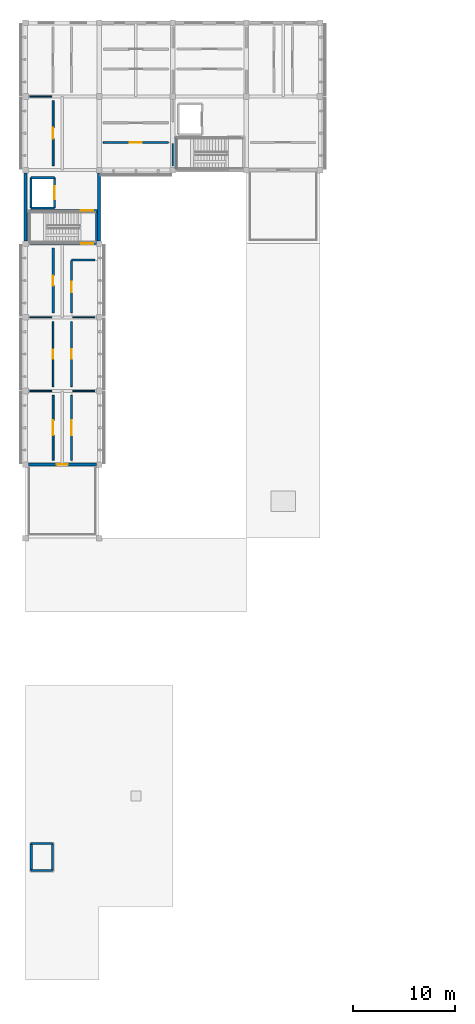
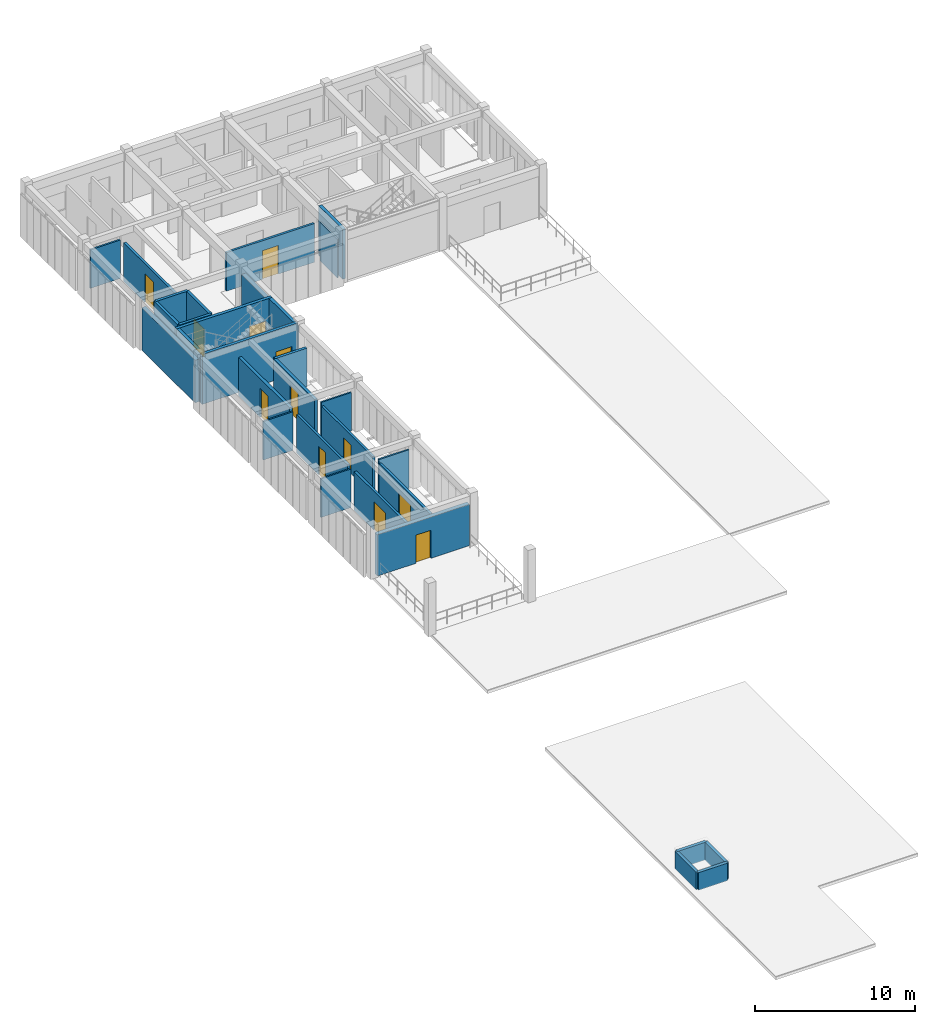
# One storey, part 23 of 33: 31 walls, 12 doors, 12 openings.
"""IFC4 building model written with IfcOpenShell, lengths in metres."""

from ifc_helpers import new_model, si_unit, direction, frame, frame_2d, origin, place, context, subcontext, project, spatial, rectangle, extrude, material, layer, layer_set, type_object, element, fill, save


model = new_model("IFC4")

# Units and contexts
model_context = context("Model", 3, precision=1e-05, world=origin(), true_north=direction((0.0, 1.0)))
body_context = subcontext(model_context, "Body", "Model", "MODEL_VIEW")
ifc_project = project(units=[si_unit("LENGTHUNIT", "METRE"), si_unit("AREAUNIT", "SQUARE_METRE"), si_unit("VOLUMEUNIT", "CUBIC_METRE"), si_unit("PLANEANGLEUNIT", "RADIAN"), si_unit("MASSUNIT", "GRAM", prefix="KILO")], contexts=[model_context])

# Site, building, storey
site_placement = place(None, origin())
site = spatial("IfcSite", under=ifc_project, at=site_placement, CompositionType="ELEMENT")
building_placement = place(site_placement, origin())
building = spatial("IfcBuilding", under=site, at=building_placement, Name="Aldebral Square Health Centre", CompositionType="ELEMENT")
storey_placement = place(building_placement, frame((0.0, 0.0, 17.550048828125)))
storey = spatial("IfcBuildingStorey", under=building, at=storey_placement, Name="L04", CompositionType="ELEMENT", Elevation=17.550048828125)

# Wall, opening, door
ifc_material_1 = material(Name="Precast concrete C40/50 insulated panel", Category="concrete")
ifc_layer_1 = layer(ifc_material_1, 0.300048828125, Name="Precast concrete C40/50 insulated panel", Category="concrete")
ifc_layer_set_1 = layer_set([ifc_layer_1], Name="Precast concrete C40/50 insulated panel")
wall_type_1 = type_object("IfcWallType", Name="EW-PRE-300", PredefinedType="STANDARD", material=ifc_layer_set_1)
wall_1_placement = place(storey_placement, frame((0.27490234375, 72.0, 0.0), z_axis=(0.0, 0.0, 1.0), x_axis=(1.0, 0.0, 0.0)))
wall_1 = element("IfcWall", 1, at=wall_1_placement, inside=storey, type_object=wall_type_1, Name="L04 V4 exterior wall L04-V4-00-10-S", PredefinedType="STANDARD", context=body_context, shape_type="SweptSolid", body=[
    extrude(rectangle(XDim=6.650146484375, YDim=0.300048828125, at=frame_2d((3.3251953125, 0.0))), origin(), (0.0, 0.0, 1.0), 3.14990234375),
])
opening_1_placement = place(wall_1_placement, frame((2.77490234375, 0.0, 0.0)))
opening_1 = element("IfcOpeningElement", 2, at=opening_1_placement, cuts=wall_1, Name="Opening D-TER401", PredefinedType="OPENING", context=body_context, shape_type="SweptSolid", body=[
    extrude(rectangle(XDim=1.10009765625, YDim=2.14990234375, at=frame_2d((0.550048828125, 1.074951171875))), frame((0.0, 0.16015625, 0.0), z_axis=(0.0, -1.0, 0.0), x_axis=(1.0, 0.0, 0.0)), (0.0, 0.0, 1.0), 0.320068359375),
])
ifc_material_2 = material(Name="Anodised aluminium and laminated safety glass", Category="aluminium")
door_type_1 = type_object("IfcDoorType", Name="DR-TER-110", OperationType="NOTDEFINED", PredefinedType="DOOR", material=ifc_material_2)
door_1_placement = place(opening_1_placement, origin())
door_1 = element("IfcDoor", 3, at=door_1_placement, inside=storey, type_object=door_type_1, Name="L04 exterior door D-TER401", OperationType="SINGLE_SWING_RIGHT", OverallHeight=2.14990234375, OverallWidth=1.10009765625, PredefinedType="DOOR", context=body_context, shape_type="SweptSolid", body=[
    extrude(rectangle(XDim=1.10009765625, YDim=2.14990234375, at=frame_2d((0.550048828125, 1.074951171875))), frame((0.0, 0.02490234375, 0.0), z_axis=(0.0, -1.0, 0.0), x_axis=(1.0, 0.0, 0.0)), (0.0, 0.0, 1.0), 0.050048828125),
])
fill(opening_1, door_1)

# Walls
for number, where, z_axis, x_axis, name in (
    (4, (0.0, 100.52490234375, 0.0), (0.0, 0.0, 1.0), (0.0, -1.0, 0.0), "L04 V4 exterior wall L04-V4-00-13-W"),
    (5, (7.199951171875, 93.875, 0.0), (0.0, 0.0, 1.0), (0.0, 1.0, 0.0), "L04 V4 exterior wall L04-V4-00-13-E"),
):
    element("IfcWall", number, at=place(storey_placement, frame(where, z_axis=z_axis, x_axis=x_axis)), inside=storey, type_object=wall_type_1, Name=name, PredefinedType="STANDARD", context=body_context, shape_type="SweptSolid", body=[
        extrude(rectangle(XDim=6.64990234375, YDim=0.300048828125, at=frame_2d((3.324951171875, 0.0))), origin(), (0.0, 0.0, 1.0), 3.25),
    ])

# Wall, opening, door
ifc_material_3 = material(Name="Concrete C35/45 compartment wall", Category="concrete")
ifc_layer_2 = layer(ifc_material_3, 0.219970703125, Name="Concrete C35/45 compartment wall", Category="concrete")
ifc_layer_set_2 = layer_set([ifc_layer_2], Name="Concrete C35/45 compartment wall")
wall_type_2 = type_object("IfcWallType", Name="IW-CMP-220", PredefinedType="SOLIDWALL", material=ifc_layer_set_2)
wall_2_placement = place(storey_placement, frame((2.699951171875, 86.820068359375, 0.0), z_axis=(0.0, 0.0, 1.0), x_axis=(0.0, 1.0, 0.0)))
wall_2 = element("IfcWall", 6, at=wall_2_placement, inside=storey, type_object=wall_type_2, Name="L04 Clinical Store 1.13W corridor wall", PredefinedType="SOLIDWALL", context=body_context, shape_type="SweptSolid", body=[
    extrude(rectangle(XDim=6.35986328125, YDim=0.219970703125, at=frame_2d((3.179931640625, 0.0))), origin(), (0.0, 0.0, 1.0), 2.93994140625),
])
opening_2_placement = place(wall_2_placement, frame((2.68994140625, 0.0, 0.0)))
opening_2 = element("IfcOpeningElement", 7, at=opening_2_placement, cuts=wall_2, Name="Opening D-0617", PredefinedType="OPENING", context=body_context, shape_type="SweptSolid", body=[
    extrude(rectangle(XDim=0.97998046875, YDim=2.18994140625, at=frame_2d((0.489990234375, 1.094970703125))), frame((0.0, 0.1201171875, 0.0), z_axis=(0.0, -1.0, 0.0), x_axis=(1.0, 0.0, 0.0)), (0.0, 0.0, 1.0), 0.239990234375),
])
ifc_material_4 = material(Name="Clinical suite fire door")
door_type_2 = type_object("IfcDoorType", Name="ID-EXD-50", OperationType="NOTDEFINED", PredefinedType="DOOR", material=ifc_material_4)
door_2_placement = place(opening_2_placement, origin())
door_2 = element("IfcDoor", 8, at=door_2_placement, inside=storey, type_object=door_type_2, Name="L04 Clinical Store 1.13W door", OperationType="SINGLE_SWING_RIGHT", OverallHeight=2.18994140625, OverallWidth=0.97998046875, PredefinedType="DOOR", context=body_context, shape_type="SweptSolid", body=[
    extrude(rectangle(XDim=0.97998046875, YDim=2.18994140625, at=frame_2d((0.489990234375, 1.094970703125))), frame((0.0, 0.02490234375, 0.0), z_axis=(0.0, -1.0, 0.0), x_axis=(1.0, 0.0, 0.0)), (0.0, 0.0, 1.0), 0.050048828125),
])
fill(opening_2, door_2)

ifc_material_5 = material(Name="Fire-rated acoustic gypsum partition")
ifc_layer_3 = layer(ifc_material_5, 0.1650390625, Name="Fire-rated acoustic gypsum partition")
ifc_layer_set_3 = layer_set([ifc_layer_3], Name="Fire-rated acoustic gypsum partition")
wall_type_3 = type_object("IfcWallType", Name="IW-COR-165", PredefinedType="PARTITIONING", material=ifc_layer_set_3)
wall_3_placement = place(storey_placement, frame((2.699951171875, 79.6201171875, 0.0), z_axis=(0.0, 0.0, 1.0), x_axis=(0.0, 1.0, 0.0)))
wall_3 = element("IfcWall", 9, at=wall_3_placement, inside=storey, type_object=wall_type_3, Name="L04 Rheumatology Exam Room 1.12W corridor wall", PredefinedType="PARTITIONING", context=body_context, shape_type="SweptSolid", body=[
    extrude(rectangle(XDim=6.35986328125, YDim=0.1650390625, at=frame_2d((3.179931640625, 0.0))), origin(), (0.0, 0.0, 1.0), 2.93994140625),
])
opening_3_placement = place(wall_3_placement, frame((2.72998046875, 0.0, 0.0)))
opening_3 = element("IfcOpeningElement", 10, at=opening_3_placement, cuts=wall_3, Name="Opening D-0615", PredefinedType="OPENING", context=body_context, shape_type="SweptSolid", body=[
    extrude(rectangle(XDim=0.89990234375, YDim=2.18994140625, at=frame_2d((0.449951171875, 1.094970703125))), frame((0.0, 0.092529296875, 0.0), z_axis=(0.0, -1.0, 0.0), x_axis=(1.0, 0.0, 0.0)), (0.0, 0.0, 1.0), 0.18505859375),
])
door_type_3 = type_object("IfcDoorType", Name="ID-EXD-48", OperationType="NOTDEFINED", PredefinedType="DOOR", material=ifc_material_4)
door_3_placement = place(opening_3_placement, origin())
door_3 = element("IfcDoor", 11, at=door_3_placement, inside=storey, type_object=door_type_3, Name="L04 Rheumatology Exam Room 1.12W door", OperationType="SINGLE_SWING_RIGHT", OverallHeight=2.18994140625, OverallWidth=0.89990234375, PredefinedType="DOOR", context=body_context, shape_type="SweptSolid", body=[
    extrude(rectangle(XDim=0.89990234375, YDim=2.18994140625, at=frame_2d((0.449951171875, 1.094970703125))), frame((0.0, 0.02490234375, 0.0), z_axis=(0.0, -1.0, 0.0), x_axis=(1.0, 0.0, 0.0)), (0.0, 0.0, 1.0), 0.050048828125),
])
fill(opening_3, door_3)

wall_4_placement = place(storey_placement, frame((4.5, 79.6201171875, 0.0), z_axis=(0.0, 0.0, 1.0), x_axis=(0.0, 1.0, 0.0)))
wall_4 = element("IfcWall", 12, at=wall_4_placement, inside=storey, type_object=wall_type_3, Name="L04 Preventive Screening Room 1.12E corridor wall", PredefinedType="PARTITIONING", context=body_context, shape_type="SweptSolid", body=[
    extrude(rectangle(XDim=6.35986328125, YDim=0.1650390625, at=frame_2d((3.179931640625, 0.0))), origin(), (0.0, 0.0, 1.0), 2.93994140625),
])
opening_4_placement = place(wall_4_placement, frame((2.7099609375, 0.0, 0.0)))
opening_4 = element("IfcOpeningElement", 13, at=opening_4_placement, cuts=wall_4, Name="Opening D-0616", PredefinedType="OPENING", context=body_context, shape_type="SweptSolid", body=[
    extrude(rectangle(XDim=0.93994140625, YDim=2.18994140625, at=frame_2d((0.469970703125, 1.094970703125))), frame((0.0, 0.092529296875, 0.0), z_axis=(0.0, -1.0, 0.0), x_axis=(1.0, 0.0, 0.0)), (0.0, 0.0, 1.0), 0.18505859375),
])
door_type_4 = type_object("IfcDoorType", Name="ID-EXD-49", OperationType="NOTDEFINED", PredefinedType="DOOR", material=ifc_material_4)
door_4_placement = place(opening_4_placement, origin())
door_4 = element("IfcDoor", 14, at=door_4_placement, inside=storey, type_object=door_type_4, Name="L04 Preventive Screening Room 1.12E door", OperationType="SINGLE_SWING_LEFT", OverallHeight=2.18994140625, OverallWidth=0.93994140625, PredefinedType="DOOR", context=body_context, shape_type="SweptSolid", body=[
    extrude(rectangle(XDim=0.93994140625, YDim=2.18994140625, at=frame_2d((0.469970703125, 1.094970703125))), frame((0.0, 0.02490234375, 0.0), z_axis=(0.0, -1.0, 0.0), x_axis=(1.0, 0.0, 0.0)), (0.0, 0.0, 1.0), 0.050048828125),
])
fill(opening_4, door_4)

wall_5_placement = place(storey_placement, frame((7.6201171875, 103.5, 0.0), z_axis=(0.0, 0.0, 1.0), x_axis=(1.0, 0.0, 0.0)))
wall_5 = element("IfcWall", 15, at=wall_5_placement, inside=storey, type_object=wall_type_3, Name="L04 Preventive Screening Room 2.15S corridor wall", PredefinedType="PARTITIONING", context=body_context, shape_type="SweptSolid", body=[
    extrude(rectangle(XDim=6.35986328125, YDim=0.1650390625, at=frame_2d((3.179931640625, 0.0))), origin(), (0.0, 0.0, 1.0), 2.93994140625),
])
opening_5_placement = place(wall_5_placement, frame((2.590087890625, 0.0, 0.0)))
opening_5 = element("IfcOpeningElement", 16, at=opening_5_placement, cuts=wall_5, Name="Opening D-0622", PredefinedType="OPENING", context=body_context, shape_type="SweptSolid", body=[
    extrude(rectangle(XDim=1.179931640625, YDim=2.18994140625, at=frame_2d((0.58984375, 1.094970703125))), frame((0.0, 0.092529296875, 0.0), z_axis=(0.0, -1.0, 0.0), x_axis=(1.0, 0.0, 0.0)), (0.0, 0.0, 1.0), 0.18505859375),
])
door_type_5 = type_object("IfcDoorType", Name="ID-EXD-55", OperationType="NOTDEFINED", PredefinedType="DOOR", material=ifc_material_4)
door_5_placement = place(opening_5_placement, origin())
door_5 = element("IfcDoor", 17, at=door_5_placement, inside=storey, type_object=door_type_5, Name="L04 Preventive Screening Room 2.15S door", OperationType="SINGLE_SWING_LEFT", OverallHeight=2.18994140625, OverallWidth=1.179931640625, PredefinedType="DOOR", context=body_context, shape_type="SweptSolid", body=[
    extrude(rectangle(XDim=1.179931640625, YDim=2.18994140625, at=frame_2d((0.58984375, 1.094970703125))), frame((0.0, 0.02490234375, 0.0), z_axis=(0.0, -1.0, 0.0), x_axis=(1.0, 0.0, 0.0)), (0.0, 0.0, 1.0), 0.050048828125),
])
fill(opening_5, door_5)

ifc_layer_4 = layer(ifc_material_5, 0.179931640625, Name="Fire-rated acoustic gypsum partition")
ifc_layer_set_4 = layer_set([ifc_layer_4], Name="Fire-rated acoustic gypsum partition")
wall_type_4 = type_object("IfcWallType", Name="IW-COR-180", PredefinedType="PARTITIONING", material=ifc_layer_set_4)
wall_6_placement = place(storey_placement, frame((2.699951171875, 72.419921875, 0.0), z_axis=(0.0, 0.0, 1.0), x_axis=(0.0, 1.0, 0.0)))
wall_6 = element("IfcWall", 18, at=wall_6_placement, inside=storey, type_object=wall_type_4, Name="L04 Specialist Clinic 1.11W corridor wall", PredefinedType="PARTITIONING", context=body_context, shape_type="SweptSolid", body=[
    extrude(rectangle(XDim=6.360107421875, YDim=0.179931640625, at=frame_2d((3.18017578125, 0.0))), origin(), (0.0, 0.0, 1.0), 2.93994140625),
])
opening_6_placement = place(wall_6_placement, frame((2.449951171875, 0.0, 0.0)))
opening_6 = element("IfcOpeningElement", 19, at=opening_6_placement, cuts=wall_6, Name="Opening D-0613", PredefinedType="OPENING", context=body_context, shape_type="SweptSolid", body=[
    extrude(rectangle(XDim=1.4599609375, YDim=2.139892578125, at=frame_2d((0.72998046875, 1.06982421875))), frame((0.0, 0.10009765625, 0.0), z_axis=(0.0, -1.0, 0.0), x_axis=(1.0, 0.0, 0.0)), (0.0, 0.0, 1.0), 0.199951171875),
])
door_type_6 = type_object("IfcDoorType", Name="ID-EXD-46", OperationType="NOTDEFINED", PredefinedType="DOOR", material=ifc_material_4)
door_6_placement = place(opening_6_placement, origin())
door_6 = element("IfcDoor", 20, at=door_6_placement, inside=storey, type_object=door_type_6, Name="L04 Specialist Clinic 1.11W door", OperationType="SINGLE_SWING_RIGHT", OverallHeight=2.139892578125, OverallWidth=1.4599609375, PredefinedType="DOOR", context=body_context, shape_type="SweptSolid", body=[
    extrude(rectangle(XDim=1.4599609375, YDim=2.139892578125, at=frame_2d((0.72998046875, 1.06982421875))), frame((0.0, 0.02490234375, 0.0), z_axis=(0.0, -1.0, 0.0), x_axis=(1.0, 0.0, 0.0)), (0.0, 0.0, 1.0), 0.050048828125),
])
fill(opening_6, door_6)

wall_7_placement = place(storey_placement, frame((4.5, 72.419921875, 0.0), z_axis=(0.0, 0.0, 1.0), x_axis=(0.0, 1.0, 0.0)))
wall_7 = element("IfcWall", 21, at=wall_7_placement, inside=storey, type_object=wall_type_4, Name="L04 Neurology Consulting Suite 1.11E corridor wall", PredefinedType="PARTITIONING", context=body_context, shape_type="SweptSolid", body=[
    extrude(rectangle(XDim=6.360107421875, YDim=0.179931640625, at=frame_2d((3.18017578125, 0.0))), origin(), (0.0, 0.0, 1.0), 2.93994140625),
])
opening_7_placement = place(wall_7_placement, frame((2.429931640625, 0.0, 0.0)))
opening_7 = element("IfcOpeningElement", 22, at=opening_7_placement, cuts=wall_7, Name="Opening D-0614", PredefinedType="OPENING", context=body_context, shape_type="SweptSolid", body=[
    extrude(rectangle(XDim=1.5, YDim=2.139892578125, at=frame_2d((0.75, 1.06982421875))), frame((0.0, 0.10009765625, 0.0), z_axis=(0.0, -1.0, 0.0), x_axis=(1.0, 0.0, 0.0)), (0.0, 0.0, 1.0), 0.199951171875),
])
door_type_7 = type_object("IfcDoorType", Name="ID-EXD-47", OperationType="NOTDEFINED", PredefinedType="DOOR", material=ifc_material_4)
door_7_placement = place(opening_7_placement, origin())
door_7 = element("IfcDoor", 23, at=door_7_placement, inside=storey, type_object=door_type_7, Name="L04 Neurology Consulting Suite 1.11E door", OperationType="SINGLE_SWING_LEFT", OverallHeight=2.139892578125, OverallWidth=1.5, PredefinedType="DOOR", context=body_context, shape_type="SweptSolid", body=[
    extrude(rectangle(XDim=1.5, YDim=2.139892578125, at=frame_2d((0.75, 1.06982421875))), frame((0.0, 0.02490234375, 0.0), z_axis=(0.0, -1.0, 0.0), x_axis=(1.0, 0.0, 0.0)), (0.0, 0.0, 1.0), 0.050048828125),
])
fill(opening_7, door_7)

wall_8_placement = place(storey_placement, frame((2.699951171875, 101.219970703125, 0.0), z_axis=(0.0, 0.0, 1.0), x_axis=(0.0, 1.0, 0.0)))
wall_8 = element("IfcWall", 24, at=wall_8_placement, inside=storey, type_object=wall_type_4, Name="L04 Specialist Clinic 1.15W corridor wall", PredefinedType="PARTITIONING", context=body_context, shape_type="SweptSolid", body=[
    extrude(rectangle(XDim=6.360107421875, YDim=0.179931640625, at=frame_2d((3.18017578125, 0.0))), origin(), (0.0, 0.0, 1.0), 2.93994140625),
])
opening_8_placement = place(wall_8_placement, frame((2.64990234375, 0.0, 0.0)))
opening_8 = element("IfcOpeningElement", 25, at=opening_8_placement, cuts=wall_8, Name="Opening D-0619", PredefinedType="OPENING", context=body_context, shape_type="SweptSolid", body=[
    extrude(rectangle(XDim=1.06005859375, YDim=2.18994140625, at=frame_2d((0.530029296875, 1.094970703125))), frame((0.0, 0.10009765625, 0.0), z_axis=(0.0, -1.0, 0.0), x_axis=(1.0, 0.0, 0.0)), (0.0, 0.0, 1.0), 0.199951171875),
])
door_type_8 = type_object("IfcDoorType", Name="ID-EXD-52", OperationType="NOTDEFINED", PredefinedType="DOOR", material=ifc_material_4)
door_8_placement = place(opening_8_placement, origin())
door_8 = element("IfcDoor", 26, at=door_8_placement, inside=storey, type_object=door_type_8, Name="L04 Specialist Clinic 1.15W door", OperationType="SINGLE_SWING_RIGHT", OverallHeight=2.18994140625, OverallWidth=1.06005859375, PredefinedType="DOOR", context=body_context, shape_type="SweptSolid", body=[
    extrude(rectangle(XDim=1.06005859375, YDim=2.18994140625, at=frame_2d((0.530029296875, 1.094970703125))), frame((0.0, 0.02490234375, 0.0), z_axis=(0.0, -1.0, 0.0), x_axis=(1.0, 0.0, 0.0)), (0.0, 0.0, 1.0), 0.050048828125),
])
fill(opening_8, door_8)

ifc_material_6 = material(Name="Concrete C40/50", Category="concrete")
ifc_layer_5 = layer(ifc_material_6, 0.219970703125, Name="Concrete C40/50", Category="concrete")
ifc_layer_set_5 = layer_set([ifc_layer_5], Name="Concrete C40/50")
wall_type_5 = type_object("IfcWallType", Name="IW-CORE-280", PredefinedType="SHEAR", material=ifc_layer_set_5)
wall_9_placement = place(storey_placement, frame((0.159912109375, 93.610107421875, 0.0), z_axis=(0.0, 0.0, 1.0), x_axis=(1.0, 0.0, 0.0)))
wall_9 = element("IfcWall", 27, at=wall_9_placement, inside=storey, type_object=wall_type_5, Name="L04 WC-C1 shaft wall S", PredefinedType="SHEAR", context=body_context, shape_type="SweptSolid", body=[
    extrude(rectangle(XDim=6.880126953125, YDim=0.219970703125, at=frame_2d((3.43994140625, 0.0))), origin(), (0.0, 0.0, 1.0), 3.800048828125),
])
opening_9_placement = place(wall_9_placement, frame((5.300048828125, 0.0, 0.0)))
opening_9 = element("IfcOpeningElement", 28, at=opening_9_placement, cuts=wall_9, Name="Opening D-0015", PredefinedType="OPENING", context=body_context, shape_type="SweptSolid", body=[
    extrude(rectangle(XDim=1.14990234375, YDim=2.14990234375, at=frame_2d((0.574951171875, 1.074951171875))), frame((0.0, 0.1201171875, 0.0), z_axis=(0.0, -1.0, 0.0), x_axis=(1.0, 0.0, 0.0)), (0.0, 0.0, 1.0), 0.239990234375),
])
ifc_material_7 = material(Name="Fire-rated steel lobby stair door", Category="steel")
door_type_9 = type_object("IfcDoorType", Name="ID-ST-115", OperationType="NOTDEFINED", PredefinedType="DOOR", material=ifc_material_7)
door_9_placement = place(opening_9_placement, origin())
door_9 = element("IfcDoor", 29, at=door_9_placement, inside=storey, type_object=door_type_9, Name="L04 ST-01 south lobby fire door", OperationType="SINGLE_SWING_LEFT", OverallHeight=2.14990234375, OverallWidth=1.14990234375, PredefinedType="DOOR", context=body_context, shape_type="SweptSolid", body=[
    extrude(rectangle(XDim=1.14990234375, YDim=2.14990234375, at=frame_2d((0.574951171875, 1.074951171875))), frame((0.0, 0.02490234375, 0.0), z_axis=(0.0, -1.0, 0.0), x_axis=(1.0, 0.0, 0.0)), (0.0, 0.0, 1.0), 0.050048828125),
])
fill(opening_9, door_9)

wall_10_placement = place(storey_placement, frame((0.159912109375, 96.830078125, 0.0), z_axis=(0.0, 0.0, 1.0), x_axis=(1.0, 0.0, 0.0)))
wall_10 = element("IfcWall", 30, at=wall_10_placement, inside=storey, type_object=wall_type_5, Name="L04 WC-C1 shaft wall N", PredefinedType="SHEAR", context=body_context, shape_type="SweptSolid", body=[
    extrude(rectangle(XDim=6.880126953125, YDim=0.219970703125, at=frame_2d((3.43994140625, 0.0))), origin(), (0.0, 0.0, 1.0), 3.800048828125),
])
opening_10_placement = place(wall_10_placement, frame((5.25, 0.0, 0.0)))
opening_10 = element("IfcOpeningElement", 31, at=opening_10_placement, cuts=wall_10, Name="Opening D-0014", PredefinedType="OPENING", context=body_context, shape_type="SweptSolid", body=[
    extrude(rectangle(XDim=1.199951171875, YDim=2.14990234375, at=frame_2d((0.60009765625, 1.074951171875))), frame((0.0, 0.1201171875, 0.0), z_axis=(0.0, -1.0, 0.0), x_axis=(1.0, 0.0, 0.0)), (0.0, 0.0, 1.0), 0.239990234375),
])
ifc_material_8 = material(Name="Fire-rated steel stair door", Category="steel")
door_type_10 = type_object("IfcDoorType", Name="ID-ST-120", OperationType="NOTDEFINED", PredefinedType="DOOR", material=ifc_material_8)
door_10_placement = place(opening_10_placement, origin())
door_10 = element("IfcDoor", 32, at=door_10_placement, inside=storey, type_object=door_type_10, Name="L04 ST-01 fire door", OperationType="SINGLE_SWING_RIGHT", OverallHeight=2.14990234375, OverallWidth=1.199951171875, PredefinedType="DOOR", context=body_context, shape_type="SweptSolid", body=[
    extrude(rectangle(XDim=1.199951171875, YDim=2.14990234375, at=frame_2d((0.60009765625, 1.074951171875))), frame((0.0, 0.02490234375, 0.0), z_axis=(0.0, -1.0, 0.0), x_axis=(1.0, 0.0, 0.0)), (0.0, 0.0, 1.0), 0.050048828125),
])
fill(opening_10, door_10)

# Walls
for number, where, z_axis, x_axis, name in (
    (33, (0.27001953125, 93.719970703125, 0.0), (0.0, 0.0, 1.0), (0.0, 1.0, 0.0), "L04 WC-C1 shaft wall W"),
    (34, (6.929931640625, 93.719970703125, 0.0), (0.0, 0.0, 1.0), (0.0, 1.0, 0.0), "L04 WC-C1 shaft wall E"),
    (35, (14.669921875, 100.919921875, 0.0), (0.0, 0.0, 1.0), (0.0, 1.0, 0.0), "L04 WC-C2 shaft wall W"),
):
    element("IfcWall", number, at=place(storey_placement, frame(where, z_axis=z_axis, x_axis=x_axis)), inside=storey, type_object=wall_type_5, Name=name, PredefinedType="SHEAR", context=body_context, shape_type="SweptSolid", body=[
        extrude(rectangle(XDim=3.0, YDim=0.219970703125, at=frame_2d((1.5, 0.0))), origin(), (0.0, 0.0, 1.0), 3.800048828125),
    ])
ifc_layer_6 = layer(ifc_material_6, 0.219970703125, Name="Concrete C40/50", Category="concrete")
ifc_layer_set_6 = layer_set([ifc_layer_6], Name="Concrete C40/50")
wall_type_6 = type_object("IfcWallType", Name="IW-LFT-220", PredefinedType="SHEAR", material=ifc_layer_set_6)
wall_11_placement = place(storey_placement, frame((0.550048828125, 32.300048828125, 0.0), z_axis=(0.0, 0.0, 1.0), x_axis=(1.0, 0.0, 0.0)))
element("IfcWall", 36, at=wall_11_placement, inside=storey, type_object=wall_type_6, Name="LF-05 overrun wall 1", PredefinedType="SHEAR", context=body_context, shape_type="SweptSolid", body=[
    extrude(rectangle(XDim=2.099853515625, YDim=0.219970703125, at=frame_2d((1.0498046875, 0.0))), origin(), (0.0, 0.0, 1.0), 1.349853515625),
])
wall_12_placement = place(storey_placement, frame((2.64990234375, 32.300048828125, 0.0), z_axis=(0.0, 0.0, 1.0), x_axis=(0.0, 1.0, 0.0)))
element("IfcWall", 37, at=wall_12_placement, inside=storey, type_object=wall_type_6, Name="LF-05 overrun wall 2", PredefinedType="SHEAR", context=body_context, shape_type="SweptSolid", body=[
    extrude(rectangle(XDim=2.64990234375, YDim=0.219970703125, at=frame_2d((1.324951171875, 0.0))), origin(), (0.0, 0.0, 1.0), 1.349853515625),
])
wall_13_placement = place(storey_placement, frame((2.64990234375, 34.949951171875, 0.0), z_axis=(0.0, 0.0, 1.0), x_axis=(-1.0, 0.0, 0.0)))
element("IfcWall", 38, at=wall_13_placement, inside=storey, type_object=wall_type_6, Name="LF-05 overrun wall 3", PredefinedType="SHEAR", context=body_context, shape_type="SweptSolid", body=[
    extrude(rectangle(XDim=2.099853515625, YDim=0.219970703125, at=frame_2d((1.0498046875, 0.0))), origin(), (0.0, 0.0, 1.0), 1.349853515625),
])
wall_14_placement = place(storey_placement, frame((0.550048828125, 34.949951171875, 0.0), z_axis=(0.0, 0.0, 1.0), x_axis=(0.0, -1.0, 0.0)))
element("IfcWall", 39, at=wall_14_placement, inside=storey, type_object=wall_type_6, Name="LF-05 overrun wall 4", PredefinedType="SHEAR", context=body_context, shape_type="SweptSolid", body=[
    extrude(rectangle(XDim=2.64990234375, YDim=0.219970703125, at=frame_2d((1.324951171875, 0.0))), origin(), (0.0, 0.0, 1.0), 1.349853515625),
])
ifc_layer_7 = layer(ifc_material_6, 0.199951171875, Name="Concrete C40/50", Category="concrete")
ifc_layer_set_7 = layer_set([ifc_layer_7], Name="Concrete C40/50")
wall_type_7 = type_object("IfcWallType", Name="IW-LFT-250", PredefinedType="SHEAR", material=ifc_layer_set_7)
wall_15_placement = place(storey_placement, frame((0.550048828125, 97.10009765625, 0.0), z_axis=(0.0, 0.0, 1.0), x_axis=(1.0, 0.0, 0.0)))
element("IfcWall", 40, at=wall_15_placement, inside=storey, type_object=wall_type_7, Name="L04 LF-01 shaft wall S", PredefinedType="SHEAR", context=body_context, shape_type="SweptSolid", body=[
    extrude(rectangle(XDim=2.300048828125, YDim=0.199951171875, at=frame_2d((1.14990234375, 0.0))), origin(), (0.0, 0.0, 1.0), 3.800048828125),
])
wall_16_placement = place(storey_placement, frame((0.550048828125, 97.10009765625, 0.0), z_axis=(0.0, 0.0, 1.0), x_axis=(0.0, 1.0, 0.0)))
element("IfcWall", 41, at=wall_16_placement, inside=storey, type_object=wall_type_7, Name="L04 LF-01 shaft wall W", PredefinedType="SHEAR", context=body_context, shape_type="SweptSolid", body=[
    extrude(rectangle(XDim=2.949951171875, YDim=0.199951171875, at=frame_2d((1.47509765625, 0.0))), origin(), (0.0, 0.0, 1.0), 3.800048828125),
])
wall_17_placement = place(storey_placement, frame((0.550048828125, 100.050048828125, 0.0), z_axis=(0.0, 0.0, 1.0), x_axis=(1.0, 0.0, 0.0)))
element("IfcWall", 42, at=wall_17_placement, inside=storey, type_object=wall_type_7, Name="L04 LF-01 shaft wall N", PredefinedType="SHEAR", context=body_context, shape_type="SweptSolid", body=[
    extrude(rectangle(XDim=2.300048828125, YDim=0.199951171875, at=frame_2d((1.14990234375, 0.0))), origin(), (0.0, 0.0, 1.0), 3.800048828125),
])

# Wall, opening, door
wall_18_placement = place(storey_placement, frame((2.85009765625, 97.10009765625, 0.0), z_axis=(0.0, 0.0, 1.0), x_axis=(0.0, 1.0, 0.0)))
wall_18 = element("IfcWall", 43, at=wall_18_placement, inside=storey, type_object=wall_type_7, Name="L04 LF-01 landing wall", PredefinedType="SHEAR", context=body_context, shape_type="SweptSolid", body=[
    extrude(rectangle(XDim=2.949951171875, YDim=0.199951171875, at=frame_2d((1.47509765625, 0.0))), origin(), (0.0, 0.0, 1.0), 3.800048828125),
])
opening_11_placement = place(wall_18_placement, frame((0.824951171875, 0.0, 0.0)))
opening_11 = element("IfcOpeningElement", 44, at=opening_11_placement, cuts=wall_18, Name="Opening D-0016", PredefinedType="OPENING", context=body_context, shape_type="SweptSolid", body=[
    extrude(rectangle(XDim=1.300048828125, YDim=2.14990234375, at=frame_2d((0.64990234375, 1.074951171875))), frame((0.0, 0.10986328125, 0.0), z_axis=(0.0, -1.0, 0.0), x_axis=(1.0, 0.0, 0.0)), (0.0, 0.0, 1.0), 0.219970703125),
])
ifc_material_9 = material(Name="Stainless steel stretcher lift landing door", Category="steel")
door_type_11 = type_object("IfcDoorType", Name="ID-LD-130", OperationType="SLIDING_TO_LEFT", PredefinedType="DOOR", material=ifc_material_9)
door_11_placement = place(opening_11_placement, origin())
door_11 = element("IfcDoor", 45, at=door_11_placement, inside=storey, type_object=door_type_11, Name="L04 LF-01 sliding landing door", OperationType="SLIDING_TO_LEFT", OverallHeight=2.14990234375, OverallWidth=1.300048828125, PredefinedType="DOOR", context=body_context, shape_type="SweptSolid", body=[
    extrude(rectangle(XDim=1.300048828125, YDim=2.14990234375, at=frame_2d((0.64990234375, 1.074951171875))), frame((0.0, 0.02490234375, 0.0), z_axis=(0.0, -1.0, 0.0), x_axis=(1.0, 0.0, 0.0)), (0.0, 0.0, 1.0), 0.050048828125),
])
fill(opening_11, door_11)

# Wall
ifc_material_10 = material(Name="Moisture-resistant sanitary chase wall")
ifc_layer_8 = layer(ifc_material_10, 0.2099609375, Name="Moisture-resistant sanitary chase wall")
ifc_layer_set_8 = layer_set([ifc_layer_8], Name="Moisture-resistant sanitary chase wall")
wall_type_8 = type_object("IfcWallType", Name="IW-PLB-210", PredefinedType="PLUMBINGWALL", material=ifc_layer_set_8)
wall_19_placement = place(storey_placement, frame((4.5, 92.0, 0.0), z_axis=(0.0, 0.0, 1.0), x_axis=(1.0, 0.0, 0.0)))
element("IfcWall", 46, at=wall_19_placement, inside=storey, type_object=wall_type_8, Name="L04 Accessible WC 1.13E lobby return wall", PredefinedType="PLUMBINGWALL", context=body_context, shape_type="SweptSolid", body=[
    extrude(rectangle(XDim=2.280029296875, YDim=0.2099609375, at=frame_2d((1.14013671875, 0.0))), origin(), (0.0, 0.0, 1.0), 2.93994140625),
])

# Wall, opening, door
wall_20_placement = place(storey_placement, frame((4.5, 86.820068359375, 0.0), z_axis=(0.0, 0.0, 1.0), x_axis=(0.0, 1.0, 0.0)))
wall_20 = element("IfcWall", 47, at=wall_20_placement, inside=storey, type_object=wall_type_8, Name="L04 Accessible WC 1.13E corridor wall", PredefinedType="PLUMBINGWALL", context=body_context, shape_type="SweptSolid", body=[
    extrude(rectangle(XDim=5.1298828125, YDim=0.2099609375, at=frame_2d((2.56494140625, 0.0))), origin(), (0.0, 0.0, 1.0), 2.93994140625),
])
opening_12_placement = place(wall_20_placement, frame((2.054931640625, 0.0, 0.0)))
opening_12 = element("IfcOpeningElement", 48, at=opening_12_placement, cuts=wall_20, Name="Opening D-0618", PredefinedType="OPENING", context=body_context, shape_type="SweptSolid", body=[
    extrude(rectangle(XDim=1.02001953125, YDim=2.18994140625, at=frame_2d((0.510009765625, 1.094970703125))), frame((0.0, 0.114990234375, 0.0), z_axis=(0.0, -1.0, 0.0), x_axis=(1.0, 0.0, 0.0)), (0.0, 0.0, 1.0), 0.22998046875),
])
door_type_12 = type_object("IfcDoorType", Name="ID-EXD-51", OperationType="NOTDEFINED", PredefinedType="DOOR", material=ifc_material_4)
door_12_placement = place(opening_12_placement, origin())
door_12 = element("IfcDoor", 49, at=door_12_placement, inside=storey, type_object=door_type_12, Name="L04 Accessible WC 1.13E door", OperationType="SINGLE_SWING_LEFT", OverallHeight=2.18994140625, OverallWidth=1.02001953125, PredefinedType="DOOR", context=body_context, shape_type="SweptSolid", body=[
    extrude(rectangle(XDim=1.02001953125, YDim=2.18994140625, at=frame_2d((0.510009765625, 1.094970703125))), frame((0.0, 0.02490234375, 0.0), z_axis=(0.0, -1.0, 0.0), x_axis=(1.0, 0.0, 0.0)), (0.0, 0.0, 1.0), 0.050048828125),
])
fill(opening_12, door_12)

# Walls
ifc_material_11 = material(Name="Lightweight clinical partition")
ifc_layer_9 = layer(ifc_material_11, 0.10498046875, Name="Lightweight clinical partition")
ifc_layer_set_9 = layer_set([ifc_layer_9], Name="Lightweight clinical partition")
wall_type_9 = type_object("IfcWallType", Name="IW-PRT-105", PredefinedType="PARTITIONING", material=ifc_layer_set_9)
wall_21_placement = place(storey_placement, frame((0.419921875, 86.39990234375, 0.0), z_axis=(0.0, 0.0, 1.0), x_axis=(1.0, 0.0, 0.0)))
element("IfcWall", 50, at=wall_21_placement, inside=storey, type_object=wall_type_9, Name="L04 Rheumatology Exam Room 1.12W demising partition", PredefinedType="PARTITIONING", context=body_context, shape_type="SweptSolid", body=[
    extrude(rectangle(XDim=2.16015625, YDim=0.10498046875, at=frame_2d((1.080078125, 0.0))), origin(), (0.0, 0.0, 1.0), 2.93994140625),
])
for number, where, z_axis, x_axis, name in (
    (51, (4.6201171875, 86.39990234375, 0.0), (0.0, 0.0, 1.0), (1.0, 0.0, 0.0), "L04 Preventive Screening Room 1.12E demising partition"),
    (52, (14.39990234375, 101.219970703125, 0.0), (0.0, 0.0, 1.0), (0.0, 1.0, 0.0), "L04 Preventive Screening Room 2.15S demising partition"),
):
    element("IfcWall", number, at=place(storey_placement, frame(where, z_axis=z_axis, x_axis=x_axis)), inside=storey, type_object=wall_type_9, Name=name, PredefinedType="PARTITIONING", context=body_context, shape_type="SweptSolid", body=[
        extrude(rectangle(XDim=2.159912109375, YDim=0.10498046875, at=frame_2d((1.080078125, 0.0))), origin(), (0.0, 0.0, 1.0), 2.93994140625),
    ])
ifc_material_12 = material(Name="Acoustic clinical gypsum partition")
ifc_layer_10 = layer(ifc_material_12, 0.1201171875, Name="Acoustic clinical gypsum partition")
ifc_layer_set_10 = layer_set([ifc_layer_10], Name="Acoustic clinical gypsum partition")
wall_type_10 = type_object("IfcWallType", Name="IW-PRT-120", PredefinedType="PARTITIONING", material=ifc_layer_set_10)
wall_22_placement = place(storey_placement, frame((0.419921875, 79.199951171875, 0.0), z_axis=(0.0, 0.0, 1.0), x_axis=(1.0, 0.0, 0.0)))
element("IfcWall", 53, at=wall_22_placement, inside=storey, type_object=wall_type_10, Name="L04 Specialist Clinic 1.11W demising partition", PredefinedType="PARTITIONING", context=body_context, shape_type="SweptSolid", body=[
    extrude(rectangle(XDim=2.16015625, YDim=0.1201171875, at=frame_2d((1.080078125, 0.0))), origin(), (0.0, 0.0, 1.0), 2.93994140625),
])
wall_23_placement = place(storey_placement, frame((4.6201171875, 79.199951171875, 0.0), z_axis=(0.0, 0.0, 1.0), x_axis=(1.0, 0.0, 0.0)))
element("IfcWall", 54, at=wall_23_placement, inside=storey, type_object=wall_type_10, Name="L04 Neurology Consulting Suite 1.11E demising partition", PredefinedType="PARTITIONING", context=body_context, shape_type="SweptSolid", body=[
    extrude(rectangle(XDim=2.159912109375, YDim=0.1201171875, at=frame_2d((1.080078125, 0.0))), origin(), (0.0, 0.0, 1.0), 2.93994140625),
])
wall_24_placement = place(storey_placement, frame((0.419921875, 108.0, 0.0), z_axis=(0.0, 0.0, 1.0), x_axis=(1.0, 0.0, 0.0)))
element("IfcWall", 55, at=wall_24_placement, inside=storey, type_object=wall_type_10, Name="L04 Specialist Clinic 1.15W demising partition", PredefinedType="PARTITIONING", context=body_context, shape_type="SweptSolid", body=[
    extrude(rectangle(XDim=2.16015625, YDim=0.1201171875, at=frame_2d((1.080078125, 0.0))), origin(), (0.0, 0.0, 1.0), 2.93994140625),
])

save(model, "model.ifc")
